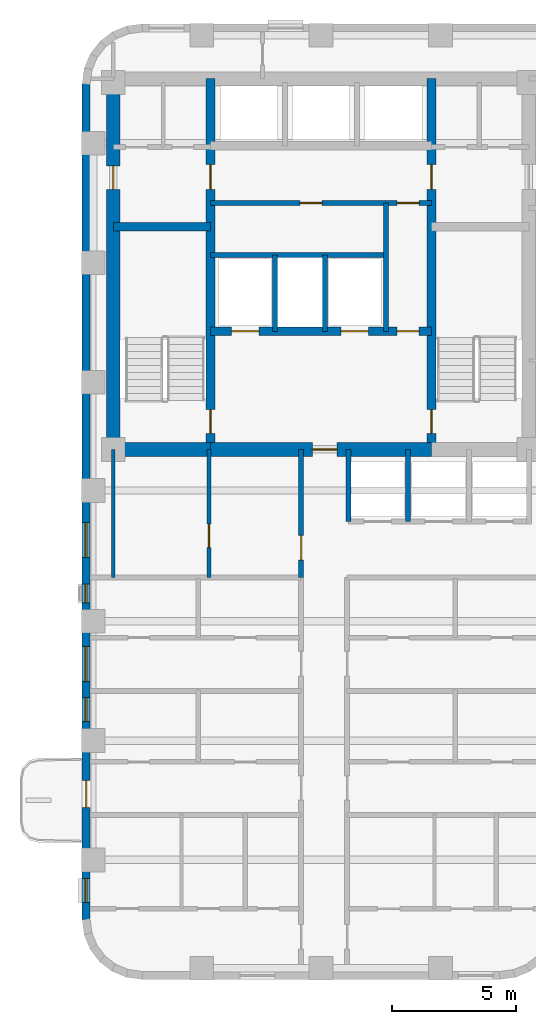
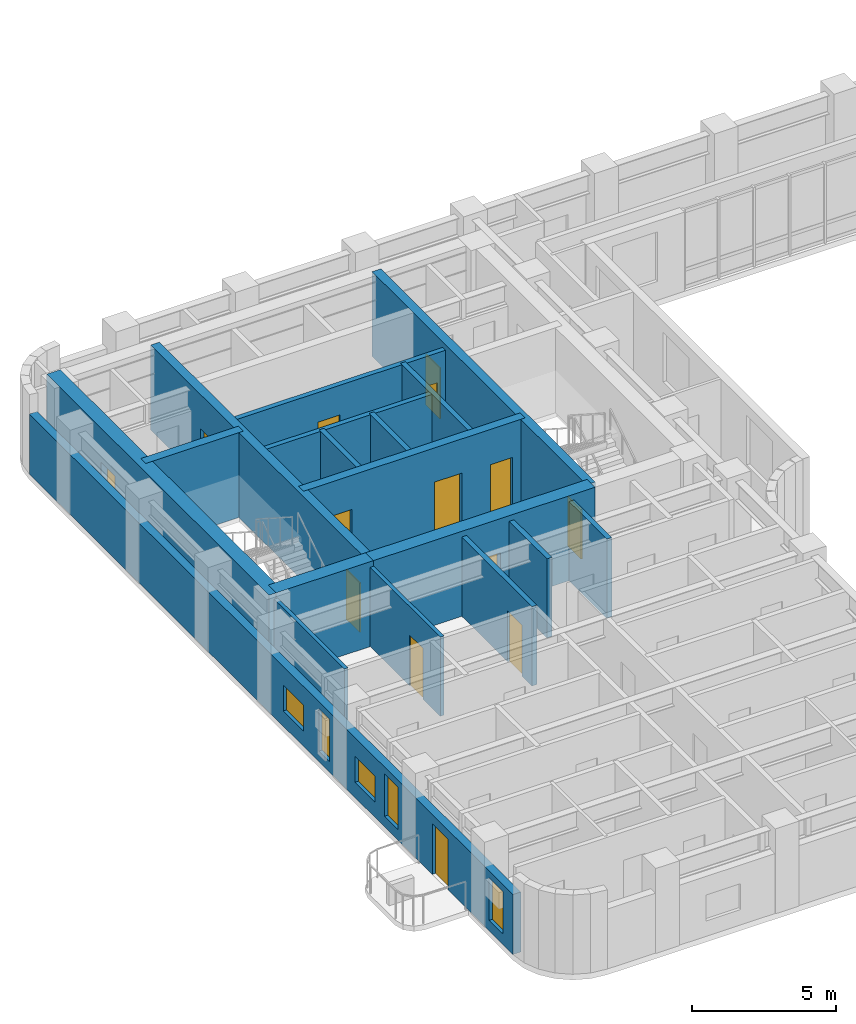
# One storey, part 5 of 11: 18 walls, 14 doors, 5 windows, 19 openings.
"""IFC4 building model written with IfcOpenShell, lengths in metres."""

import ifcopenshell
import ifcopenshell.guid

model = None  # the IFC model being written
_history = None  # IfcOwnerHistory: only IFC2X3 demands one
_inside = {}  # id of a spatial element -> (the spatial element, [elements in it])
_under = {}  # id of a project, library or spatial element -> (it, [spatial elements below it])
_declared = {}  # id of a project -> (the project, [libraries it declares])
_typed = {}  # id of a type object -> (the type object, [elements of that type])
_made_of = {}  # id of a material, layer set ... -> (it, [elements and type objects made of it])


def new_model(schema):
    """Start an empty IFC model of exactly this schema.

    Asked for "IFC4X3", IfcOpenShell would pick the latest addendum, in which some entities
    have other attributes; the version numbers below select the first issue.
    IFC2X3 requires an IfcOwnerHistory on every rooted entity: one is made here for all.
    """
    global model, _history
    if schema == "IFC4X3":
        model = ifcopenshell.file(schema_version=(4, 3, 0, 0))
    else:
        model = ifcopenshell.file(schema=schema)
    _inside.clear()
    _under.clear()
    _declared.clear()
    _typed.clear()
    _made_of.clear()
    _history = None
    if model.schema == "IFC2X3":
        org = make("IfcOrganization", Name="unknown")
        user = make(
            "IfcPersonAndOrganization",
            ThePerson=make("IfcPerson", FamilyName="unknown"),
            TheOrganization=org,
        )
        app = make(
            "IfcApplication",
            ApplicationDeveloper=org,
            Version="unknown",
            ApplicationFullName="unknown",
            ApplicationIdentifier="unknown",
        )
        _history = make(
            "IfcOwnerHistory",
            OwningUser=user,
            OwningApplication=app,
            ChangeAction="ADDED",
            CreationDate=0,
        )
    return model


def make(cls, **values):
    """One entity of the class cls with the attributes given. An attribute that is None is left unset."""
    return model.create_entity(
        cls, **{name: value for name, value in values.items() if value is not None}
    )


def rooted(cls, **values):
    """An entity with a GlobalId (a new one), such as an element, a storey or a relation."""
    return make(cls, GlobalId=ifcopenshell.guid.new(), OwnerHistory=_history, **values)


def si_unit(unit_type, name, prefix=None):
    """IfcSIUnit, for example si_unit("LENGTHUNIT", "METRE", prefix="MILLI")."""
    return make("IfcSIUnit", UnitType=unit_type, Prefix=prefix, Name=name)


def assignment(units):
    """IfcUnitAssignment: the units of a project."""
    return None if units is None else make("IfcUnitAssignment", Units=units)


def point(xyz):
    """IfcCartesianPoint."""
    return None if xyz is None else make("IfcCartesianPoint", Coordinates=xyz)


def direction(xyz):
    """IfcDirection."""
    return None if xyz is None else make("IfcDirection", DirectionRatios=xyz)


def frame(location, z_axis=None, x_axis=None):
    """IfcAxis2Placement3D, a coordinate frame: its origin and axes. An axis left out is left unset."""
    return make(
        "IfcAxis2Placement3D",
        Location=point(location),
        Axis=direction(z_axis),
        RefDirection=direction(x_axis),
    )


def frame_2d(location, x_axis=None):
    """IfcAxis2Placement2D, a coordinate frame in the plane: its origin and x axis."""
    return make(
        "IfcAxis2Placement2D", Location=point(location), RefDirection=direction(x_axis)
    )


def origin():
    """The frame at (0, 0, 0) with its axes left unset."""
    return frame((0.0, 0.0, 0.0))


def place(relative_to, where):
    """IfcLocalPlacement: puts the frame where relative to a parent placement (None: the world)."""
    return make(
        "IfcLocalPlacement", PlacementRelTo=relative_to, RelativePlacement=where
    )


def context(
    kind, dimensions, precision=None, world=None, true_north=None, identifier=None
):
    """IfcGeometricRepresentationContext, for example the 3D "Model" context."""
    return make(
        "IfcGeometricRepresentationContext",
        ContextIdentifier=identifier,
        ContextType=kind,
        CoordinateSpaceDimension=dimensions,
        Precision=precision,
        WorldCoordinateSystem=world,
        TrueNorth=true_north,
    )


def subcontext(parent, identifier, kind, view, scale=None):
    """IfcGeometricRepresentationSubContext, for example "Body" below "Model"."""
    return make(
        "IfcGeometricRepresentationSubContext",
        ContextIdentifier=identifier,
        ContextType=kind,
        ParentContext=parent,
        TargetScale=scale,
        TargetView=view,
    )


def project(units=None, contexts=None):
    """IfcProject with its units and contexts."""
    return rooted(
        "IfcProject",
        Name="project",
        RepresentationContexts=contexts,
        UnitsInContext=assignment(units),
    )


def spatial(cls, under=None, at=None, **own):
    """A site, building, storey or space (cls), placed at a placement, below another one or the project."""
    s = rooted(cls, ObjectPlacement=at, **own)
    if under is not None:
        _under.setdefault(under.id(), (under, []))[1].append(s)
    return s


def profile(cls, at=None, kind="AREA", **sizes):
    """A parametric profile (cls). Its sizes go by their IFC names, for example OverallWidth=200.0."""
    return make(cls, ProfileType=kind, Position=at, **sizes)


def rectangle(**sizes):
    """IfcRectangleProfileDef."""
    return profile("IfcRectangleProfileDef", **sizes)


def extrude(swept, where, along, depth):
    """IfcExtrudedAreaSolid: the profile swept, set in the frame where, extruded along a direction by depth."""
    return make(
        "IfcExtrudedAreaSolid",
        SweptArea=swept,
        Position=where,
        ExtrudedDirection=direction(along),
        Depth=depth,
    )


def shape(context_of_items, identifier, shape_type, items):
    """IfcShapeRepresentation: the items that make up one representation, for example the "Body"."""
    return make(
        "IfcShapeRepresentation",
        ContextOfItems=context_of_items,
        RepresentationIdentifier=identifier,
        RepresentationType=shape_type,
        Items=items,
    )


def material(Name=None, Category=None):
    """IfcMaterial."""
    return make("IfcMaterial", Name=Name, Category=Category)


def layer(
    of_material, thickness, ventilated=None, Name=None, Category=None, Priority=None
):
    """IfcMaterialLayer: one layer of a wall or slab, of a material (None: an air gap)."""
    return make(
        "IfcMaterialLayer",
        Material=of_material,
        LayerThickness=thickness,
        IsVentilated=ventilated,
        Name=Name,
        Category=Category,
        Priority=Priority,
    )


def layer_set(layers, Name=None):
    """IfcMaterialLayerSet."""
    return make("IfcMaterialLayerSet", MaterialLayers=layers, LayerSetName=Name)


def made_of(thing, what):
    """Note that an element or type object is made of a material, layer set ...; save() writes the relation."""
    if what is not None:
        _made_of.setdefault(what.id(), (what, []))[1].append(thing)
    return thing


def type_object(cls, material=None, **own):
    """A type object (cls), such as IfcWallType, which elements share."""
    return made_of(rooted(cls, **own), material)


def element(
    cls,
    number,
    at=None,
    inside=None,
    cuts=None,
    type_object=None,
    material=None,
    context=None,
    identifier="Body",
    shape_type=None,
    held_by="IfcProductDefinitionShape",
    body=None,
    shapes=None,
    **own,
):
    """One element of the class cls, such as IfcWall. Its Tag is "e" and its number.

    at: its placement. inside: the storey or other place that contains it. cuts: it is an
    opening in that element (IfcRelVoidsElement). A single representation is given by context,
    identifier, shape_type and body (its items); several are given by shapes. held_by: the class
    of the entity that holds the representations. save() writes the other relations.
    """
    e = rooted(cls, Tag="e%d" % number, ObjectPlacement=at, **own)
    if body is not None:
        shapes = [shape(context, identifier, shape_type, body)]
    if shapes is not None:
        e.Representation = make(held_by, Representations=shapes)
    if inside is not None:
        _inside.setdefault(inside.id(), (inside, []))[1].append(e)
    if cuts is not None:
        rooted(
            "IfcRelVoidsElement", RelatingBuildingElement=cuts, RelatedOpeningElement=e
        )
    if type_object is not None:
        _typed.setdefault(type_object.id(), (type_object, []))[1].append(e)
    return made_of(e, material)


def fill(opening, filler):
    """IfcRelFillsElement: the door or window that sits in an opening."""
    return rooted(
        "IfcRelFillsElement",
        RelatingOpeningElement=opening,
        RelatedBuildingElement=filler,
    )


def aggregate(whole, parts):
    """IfcRelAggregates: a whole, such as a stair, and the parts it consists of."""
    return rooted("IfcRelAggregates", RelatingObject=whole, RelatedObjects=parts)


def save(model, path):
    """Write the relations noted so far, then the file.

    IfcRelAggregates (storeys below a building ...), IfcRelContainedInSpatialStructure (elements
    in a storey), IfcRelDefinesByType, IfcRelAssociatesMaterial and IfcRelDeclares: one each for
    every whole, place, type object, material and project.
    """
    for whole, parts in _under.values():
        aggregate(whole, parts)
    for where, things in _inside.values():
        rooted(
            "IfcRelContainedInSpatialStructure",
            RelatedElements=things,
            RelatingStructure=where,
        )
    for kind, things in _typed.values():
        rooted("IfcRelDefinesByType", RelatedObjects=things, RelatingType=kind)
    for what, things in _made_of.values():
        rooted("IfcRelAssociatesMaterial", RelatedObjects=things, RelatingMaterial=what)
    for by, libraries in _declared.values():
        rooted("IfcRelDeclares", RelatingContext=by, RelatedDefinitions=libraries)
    model.write(path)


model = new_model("IFC4")

# Units and contexts
model_context = context("Model", 3, precision=1e-05, world=origin(), true_north=direction((0.0, 1.0)))
body_context = subcontext(model_context, "Body", "Model", "MODEL_VIEW")
ifc_project = project(units=[si_unit("LENGTHUNIT", "METRE"), si_unit("AREAUNIT", "SQUARE_METRE"), si_unit("VOLUMEUNIT", "CUBIC_METRE"), si_unit("PLANEANGLEUNIT", "RADIAN"), si_unit("MASSUNIT", "GRAM", prefix="KILO")], contexts=[model_context])

# Site, building, storey
site_placement = place(None, origin())
site = spatial("IfcSite", under=ifc_project, at=site_placement, CompositionType="ELEMENT")
building_placement = place(site_placement, origin())
building = spatial("IfcBuilding", under=site, at=building_placement, Name="Orvandelia Arch Residences", CompositionType="ELEMENT")
storey_placement = place(building_placement, frame((0.0, 0.0, 168.39990234375)))
storey = spatial("IfcBuildingStorey", under=building, at=storey_placement, Name="L44", CompositionType="ELEMENT", Elevation=168.39990234375)

# Wall, openings, doors
ifc_material_1 = material(Name="Concrete C50/60", Category="concrete")
ifc_layer_1 = layer(ifc_material_1, 0.35009765625, Name="Concrete C50/60", Category="concrete")
ifc_layer_set_1 = layer_set([ifc_layer_1], Name="Concrete C50/60")
wall_type_1 = type_object("IfcWallType", Name="WL-CORE-350", PredefinedType="SHEAR", material=ifc_layer_set_1)
wall_1_placement = place(storey_placement, frame((9.9599609375, 30.89990234375, 0.0), z_axis=(0.0, 0.0, 1.0), x_axis=(0.0, 1.0, 0.0)))
wall_1 = element("IfcWall", 1, at=wall_1_placement, inside=storey, type_object=wall_type_1, Name="Core Shear Wall L44-WEB1", PredefinedType="SHEAR", context=body_context, shape_type="SweptSolid", body=[
    extrude(rectangle(XDim=14.900146484375, YDim=0.35009765625, at=frame_2d((7.4501953125, 0.0))), origin(), (0.0, 0.0, 1.0), 3.60009765625),
])
opening_1_placement = place(wall_1_placement, frame((0.64990234375, 0.0, 0.0)))
opening_1 = element("IfcOpeningElement", 2, at=opening_1_placement, cuts=wall_1, Name="Opening D7", PredefinedType="OPENING", context=body_context, shape_type="SweptSolid", body=[
    extrude(rectangle(XDim=0.949951171875, YDim=2.10009765625, at=frame_2d((0.47509765625, 1.050048828125))), frame((0.0, 0.18505859375, 0.0), z_axis=(0.0, -1.0, 0.0), x_axis=(1.0, 0.0, 0.0)), (0.0, 0.0, 1.0), 0.3701171875),
])
opening_2_placement = place(wall_1_placement, frame((10.449951171875, 0.0, 0.0)))
opening_2 = element("IfcOpeningElement", 3, at=opening_2_placement, cuts=wall_1, Name="Opening D6", PredefinedType="OPENING", context=body_context, shape_type="SweptSolid", body=[
    extrude(rectangle(XDim=1.0, YDim=2.14990234375, at=frame_2d((0.5, 1.074951171875))), frame((0.0, 0.18505859375, 0.0), z_axis=(0.0, -1.0, 0.0), x_axis=(1.0, 0.0, 0.0)), (0.0, 0.0, 1.0), 0.3701171875),
])
ifc_material_2 = material(Name="Smokeproof Painted Steel Fire Door", Category="steel")
door_type_1 = type_object("IfcDoorType", Name="DR-FD60-1000", OperationType="NOTDEFINED", PredefinedType="DOOR", material=ifc_material_2)
door_1_placement = place(opening_2_placement, origin())
door_1 = element("IfcDoor", 4, at=door_1_placement, inside=storey, type_object=door_type_1, Name="High-Rise Lift Hall West Vestibule Door L44", OperationType="SINGLE_SWING_LEFT", OverallHeight=2.14990234375, OverallWidth=1.0, PredefinedType="DOOR", context=body_context, shape_type="SweptSolid", body=[
    extrude(rectangle(XDim=1.0, YDim=2.14990234375, at=frame_2d((0.5, 1.074951171875))), frame((0.0, 0.02490234375, 0.0), z_axis=(0.0, -1.0, 0.0), x_axis=(1.0, 0.0, 0.0)), (0.0, 0.0, 1.0), 0.050048828125),
])
fill(opening_2, door_1)
ifc_material_3 = material(Name="Pressurised Stairwell Fire Door")
door_type_2 = type_object("IfcDoorType", Name="DR-STAIR-950", OperationType="NOTDEFINED", PredefinedType="DOOR", material=ifc_material_3)
door_2_placement = place(opening_1_placement, origin())
door_2 = element("IfcDoor", 5, at=door_2_placement, inside=storey, type_object=door_type_2, Name="Stairwell ST-1 Fire Door L44", OperationType="SINGLE_SWING_LEFT", OverallHeight=2.10009765625, OverallWidth=0.949951171875, PredefinedType="DOOR", context=body_context, shape_type="SweptSolid", body=[
    extrude(rectangle(XDim=0.949951171875, YDim=2.10009765625, at=frame_2d((0.47509765625, 1.050048828125))), frame((0.0, 0.02490234375, 0.0), z_axis=(0.0, -1.0, 0.0), x_axis=(1.0, 0.0, 0.0)), (0.0, 0.0, 1.0), 0.050048828125),
])
fill(opening_1, door_2)

wall_2_placement = place(storey_placement, frame((18.840087890625, 30.89990234375, 0.0), z_axis=(0.0, 0.0, 1.0), x_axis=(0.0, 1.0, 0.0)))
wall_2 = element("IfcWall", 6, at=wall_2_placement, inside=storey, type_object=wall_type_1, Name="Core Shear Wall L44-WEB2", PredefinedType="SHEAR", context=body_context, shape_type="SweptSolid", body=[
    extrude(rectangle(XDim=14.900146484375, YDim=0.35009765625, at=frame_2d((7.4501953125, 0.0))), origin(), (0.0, 0.0, 1.0), 3.60009765625),
])
opening_3_placement = place(wall_2_placement, frame((0.64990234375, 0.0, 0.0)))
opening_3 = element("IfcOpeningElement", 7, at=opening_3_placement, cuts=wall_2, Name="Opening D7", PredefinedType="OPENING", context=body_context, shape_type="SweptSolid", body=[
    extrude(rectangle(XDim=0.949951171875, YDim=2.10009765625, at=frame_2d((0.47509765625, 1.050048828125))), frame((0.0, 0.18505859375, 0.0), z_axis=(0.0, -1.0, 0.0), x_axis=(1.0, 0.0, 0.0)), (0.0, 0.0, 1.0), 0.3701171875),
])
opening_4_placement = place(wall_2_placement, frame((10.449951171875, 0.0, 0.0)))
opening_4 = element("IfcOpeningElement", 8, at=opening_4_placement, cuts=wall_2, Name="Opening D6", PredefinedType="OPENING", context=body_context, shape_type="SweptSolid", body=[
    extrude(rectangle(XDim=1.0, YDim=2.14990234375, at=frame_2d((0.5, 1.074951171875))), frame((0.0, 0.18505859375, 0.0), z_axis=(0.0, -1.0, 0.0), x_axis=(1.0, 0.0, 0.0)), (0.0, 0.0, 1.0), 0.3701171875),
])
door_3_placement = place(opening_4_placement, origin())
door_3 = element("IfcDoor", 9, at=door_3_placement, inside=storey, type_object=door_type_1, Name="High-Rise Lift Hall East Vestibule Door L44", OperationType="SINGLE_SWING_RIGHT", OverallHeight=2.14990234375, OverallWidth=1.0, PredefinedType="DOOR", context=body_context, shape_type="SweptSolid", body=[
    extrude(rectangle(XDim=1.0, YDim=2.14990234375, at=frame_2d((0.5, 1.074951171875))), frame((0.0, 0.02490234375, 0.0), z_axis=(0.0, -1.0, 0.0), x_axis=(1.0, 0.0, 0.0)), (0.0, 0.0, 1.0), 0.050048828125),
])
fill(opening_4, door_3)
door_4_placement = place(opening_3_placement, origin())
door_4 = element("IfcDoor", 10, at=door_4_placement, inside=storey, type_object=door_type_2, Name="Stairwell ST-2 Fire Door L44", OperationType="SINGLE_SWING_RIGHT", OverallHeight=2.10009765625, OverallWidth=0.949951171875, PredefinedType="DOOR", context=body_context, shape_type="SweptSolid", body=[
    extrude(rectangle(XDim=0.949951171875, YDim=2.10009765625, at=frame_2d((0.47509765625, 1.050048828125))), frame((0.0, 0.02490234375, 0.0), z_axis=(0.0, -1.0, 0.0), x_axis=(1.0, 0.0, 0.0)), (0.0, 0.0, 1.0), 0.050048828125),
])
fill(opening_3, door_4)

# Wall
wall_3_placement = place(storey_placement, frame((6.050048828125, 39.85009765625, 0.0), z_axis=(0.0, 0.0, 1.0), x_axis=(1.0, 0.0, 0.0)))
element("IfcWall", 11, at=wall_3_placement, inside=storey, type_object=wall_type_1, Name="Core Shear Wall L44-HZ1", PredefinedType="SHEAR", context=body_context, shape_type="SweptSolid", body=[
    extrude(rectangle(XDim=3.909912109375, YDim=0.35009765625, at=frame_2d((1.955078125, 0.0))), origin(), (0.0, 0.0, 1.0), 3.60009765625),
])

# Wall, openings, doors
wall_4_placement = place(storey_placement, frame((9.9599609375, 35.64990234375, 0.0), z_axis=(0.0, 0.0, 1.0), x_axis=(1.0, 0.0, 0.0)))
wall_4 = element("IfcWall", 12, at=wall_4_placement, inside=storey, type_object=wall_type_1, Name="Core Shear Wall L44-HZ3", PredefinedType="SHEAR", context=body_context, shape_type="SweptSolid", body=[
    extrude(rectangle(XDim=8.880126953125, YDim=0.35009765625, at=frame_2d((4.43994140625, 0.0))), origin(), (0.0, 0.0, 1.0), 3.60009765625),
])
opening_5_placement = place(wall_4_placement, frame((0.840087890625, 0.0, 0.0)))
opening_5 = element("IfcOpeningElement", 13, at=opening_5_placement, cuts=wall_4, Name="Opening FLD", PredefinedType="OPENING", context=body_context, shape_type="SweptSolid", body=[
    extrude(rectangle(XDim=1.10009765625, YDim=2.14990234375, at=frame_2d((0.550048828125, 1.074951171875))), frame((0.0, 0.18505859375, 0.0), z_axis=(0.0, -1.0, 0.0), x_axis=(1.0, 0.0, 0.0)), (0.0, 0.0, 1.0), 0.3701171875),
])
opening_6_placement = place(wall_4_placement, frame((5.239990234375, 0.0, 0.0)))
opening_6 = element("IfcOpeningElement", 14, at=opening_6_placement, cuts=wall_4, Name="Opening FLD", PredefinedType="OPENING", context=body_context, shape_type="SweptSolid", body=[
    extrude(rectangle(XDim=1.10009765625, YDim=2.14990234375, at=frame_2d((0.550048828125, 1.074951171875))), frame((0.0, 0.18505859375, 0.0), z_axis=(0.0, -1.0, 0.0), x_axis=(1.0, 0.0, 0.0)), (0.0, 0.0, 1.0), 0.3701171875),
])
opening_7_placement = place(wall_4_placement, frame((7.5, 0.0, 0.0)))
opening_7 = element("IfcOpeningElement", 15, at=opening_7_placement, cuts=wall_4, Name="Opening D5", PredefinedType="OPENING", context=body_context, shape_type="SweptSolid", body=[
    extrude(rectangle(XDim=0.8798828125, YDim=2.10009765625, at=frame_2d((0.43994140625, 1.050048828125))), frame((0.0, 0.18505859375, 0.0), z_axis=(0.0, -1.0, 0.0), x_axis=(1.0, 0.0, 0.0)), (0.0, 0.0, 1.0), 0.3701171875),
])
ifc_material_4 = material(Name="Firefighting Lift Stainless Sliding Door")
door_type_3 = type_object("IfcDoorType", Name="DR-FLFT-1100", OperationType="NOTDEFINED", PredefinedType="DOOR", material=ifc_material_4)
door_5_placement = place(opening_5_placement, origin())
door_5 = element("IfcDoor", 16, at=door_5_placement, inside=storey, type_object=door_type_3, Name="Firefighting Lift Landing Door FLD-FL1-L44", OperationType="SLIDING_TO_LEFT", OverallHeight=2.14990234375, OverallWidth=1.10009765625, PredefinedType="DOOR", context=body_context, shape_type="SweptSolid", body=[
    extrude(rectangle(XDim=1.10009765625, YDim=2.14990234375, at=frame_2d((0.550048828125, 1.074951171875))), frame((0.0, 0.02490234375, 0.0), z_axis=(0.0, -1.0, 0.0), x_axis=(1.0, 0.0, 0.0)), (0.0, 0.0, 1.0), 0.050048828125),
])
fill(opening_5, door_5)
door_6_placement = place(opening_6_placement, origin())
door_6 = element("IfcDoor", 17, at=door_6_placement, inside=storey, type_object=door_type_3, Name="Firefighting Lift Landing Door FLD-FL2-L44", OperationType="SLIDING_TO_RIGHT", OverallHeight=2.14990234375, OverallWidth=1.10009765625, PredefinedType="DOOR", context=body_context, shape_type="SweptSolid", body=[
    extrude(rectangle(XDim=1.10009765625, YDim=2.14990234375, at=frame_2d((0.550048828125, 1.074951171875))), frame((0.0, 0.02490234375, 0.0), z_axis=(0.0, -1.0, 0.0), x_axis=(1.0, 0.0, 0.0)), (0.0, 0.0, 1.0), 0.050048828125),
])
fill(opening_6, door_6)
ifc_material_5 = material(Name="Painted Galvanised Steel Service Door", Category="steel")
door_type_4 = type_object("IfcDoorType", Name="DR-SRV-880", OperationType="NOTDEFINED", PredefinedType="DOOR", material=ifc_material_5)
door_7_placement = place(opening_7_placement, origin())
door_7 = element("IfcDoor", 18, at=door_7_placement, inside=storey, type_object=door_type_4, Name="Core Stairway Passage South Fire Door L44", OperationType="SINGLE_SWING_LEFT", OverallHeight=2.10009765625, OverallWidth=0.8798828125, PredefinedType="DOOR", context=body_context, shape_type="SweptSolid", body=[
    extrude(rectangle(XDim=0.8798828125, YDim=2.10009765625, at=frame_2d((0.43994140625, 1.050048828125))), frame((0.0, 0.02490234375, 0.0), z_axis=(0.0, -1.0, 0.0), x_axis=(1.0, 0.0, 0.0)), (0.0, 0.0, 1.0), 0.050048828125),
])
fill(opening_7, door_7)

# Wall, opening, door
ifc_material_6 = material(Name="Concrete C60/75", Category="concrete")
ifc_layer_2 = layer(ifc_material_6, 0.550048828125, Name="Concrete C60/75", Category="concrete")
ifc_layer_set_2 = layer_set([ifc_layer_2], Name="Concrete C60/75")
wall_type_2 = type_object("IfcWallType", Name="WL-CORE-550", PredefinedType="SHEAR", material=ifc_layer_set_2)
wall_5_placement = place(storey_placement, frame((6.050048828125, 30.625, 0.0), z_axis=(0.0, 0.0, 1.0), x_axis=(0.0, 1.0, 0.0)))
wall_5 = element("IfcWall", 19, at=wall_5_placement, inside=storey, type_object=wall_type_2, Name="Core Shear Wall L44-W", PredefinedType="SHEAR", context=body_context, shape_type="SweptSolid", body=[
    extrude(rectangle(XDim=15.449951171875, YDim=0.550048828125, at=frame_2d((7.72509765625, 0.0))), origin(), (0.0, 0.0, 1.0), 3.60009765625),
])
opening_8_placement = place(wall_5_placement, frame((10.72509765625, 0.0, 0.0)))
opening_8 = element("IfcOpeningElement", 20, at=opening_8_placement, cuts=wall_5, Name="Opening D2", PredefinedType="OPENING", context=body_context, shape_type="SweptSolid", body=[
    extrude(rectangle(XDim=0.949951171875, YDim=2.14990234375, at=frame_2d((0.47509765625, 1.074951171875))), frame((0.0, 0.28515625, 0.0), z_axis=(0.0, -1.0, 0.0), x_axis=(1.0, 0.0, 0.0)), (0.0, 0.0, 1.0), 0.570068359375),
])
ifc_material_7 = material(Name="Solid-Core Timber Interior Fire Door", Category="wood")
door_type_5 = type_object("IfcDoorType", Name="DR-APT-950", OperationType="NOTDEFINED", PredefinedType="DOOR", material=ifc_material_7)
door_8_placement = place(opening_8_placement, origin())
door_8 = element("IfcDoor", 21, at=door_8_placement, inside=storey, type_object=door_type_5, Name="West Viewing Study Door L44", OperationType="SINGLE_SWING_RIGHT", OverallHeight=2.14990234375, OverallWidth=0.949951171875, PredefinedType="DOOR", context=body_context, shape_type="SweptSolid", body=[
    extrude(rectangle(XDim=0.949951171875, YDim=2.14990234375, at=frame_2d((0.47509765625, 1.074951171875))), frame((0.0, 0.02490234375, 0.0), z_axis=(0.0, -1.0, 0.0), x_axis=(1.0, 0.0, 0.0)), (0.0, 0.0, 1.0), 0.050048828125),
])
fill(opening_8, door_8)

# Wall
wall_6_placement = place(storey_placement, frame((6.050048828125, 30.89990234375, 0.0), z_axis=(0.0, 0.0, 1.0), x_axis=(1.0, 0.0, 0.0)))
element("IfcWall", 22, at=wall_6_placement, inside=storey, type_object=wall_type_2, Name="Core Shear Wall L44-SW", PredefinedType="SHEAR", context=body_context, shape_type="SweptSolid", body=[
    extrude(rectangle(XDim=3.909912109375, YDim=0.550048828125, at=frame_2d((1.955078125, 0.0))), origin(), (0.0, 0.0, 1.0), 3.60009765625),
])

# Wall, opening, door
wall_7_placement = place(storey_placement, frame((9.9599609375, 30.89990234375, 0.0), z_axis=(0.0, 0.0, 1.0), x_axis=(1.0, 0.0, 0.0)))
wall_7 = element("IfcWall", 23, at=wall_7_placement, inside=storey, type_object=wall_type_2, Name="Core Shear Wall L44-SM", PredefinedType="SHEAR", context=body_context, shape_type="SweptSolid", body=[
    extrude(rectangle(XDim=8.880126953125, YDim=0.550048828125, at=frame_2d((4.43994140625, 0.0))), origin(), (0.0, 0.0, 1.0), 3.60009765625),
])
opening_9_placement = place(wall_7_placement, frame((4.090087890625, 0.0, 0.0)))
opening_9 = element("IfcOpeningElement", 24, at=opening_9_placement, cuts=wall_7, Name="Opening D6", PredefinedType="OPENING", context=body_context, shape_type="SweptSolid", body=[
    extrude(rectangle(XDim=1.0, YDim=2.14990234375, at=frame_2d((0.5, 1.074951171875))), frame((0.0, 0.28515625, 0.0), z_axis=(0.0, -1.0, 0.0), x_axis=(1.0, 0.0, 0.0)), (0.0, 0.0, 1.0), 0.570068359375),
])
door_9_placement = place(opening_9_placement, origin())
door_9 = element("IfcDoor", 25, at=door_9_placement, inside=storey, type_object=door_type_1, Name="Firefighting Lobby Smokeproof Door L44", OperationType="SINGLE_SWING_LEFT", OverallHeight=2.14990234375, OverallWidth=1.0, PredefinedType="DOOR", context=body_context, shape_type="SweptSolid", body=[
    extrude(rectangle(XDim=1.0, YDim=2.14990234375, at=frame_2d((0.5, 1.074951171875))), frame((0.0, 0.02490234375, 0.0), z_axis=(0.0, -1.0, 0.0), x_axis=(1.0, 0.0, 0.0)), (0.0, 0.0, 1.0), 0.050048828125),
])
fill(opening_9, door_9)

# Wall, openings, door, windows
ifc_material_8 = material(Name="Precast concrete C40/50", Category="concrete")
ifc_layer_3 = layer(ifc_material_8, 0.320068359375, Name="Precast concrete C40/50", Category="concrete")
ifc_layer_set_3 = layer_set([ifc_layer_3], Name="Precast concrete C40/50")
wall_type_3 = type_object("IfcWallType", Name="WL-EXT-STONE-320", PredefinedType="STANDARD", material=ifc_layer_set_3)
wall_8_placement = place(storey_placement, frame((4.9599609375, 12.0, 0.0), z_axis=(0.0, 0.0, 1.0), x_axis=(0.0, 1.0, 0.0)))
wall_8 = element("IfcWall", 26, at=wall_8_placement, inside=storey, type_object=wall_type_3, Name="Coral-Limestone Precast Facade Wall L44-046", PredefinedType="STANDARD", context=body_context, shape_type="SweptSolid", body=[
    extrude(rectangle(XDim=33.60009765625, YDim=0.320068359375, at=frame_2d((16.800048828125, 0.0))), origin(), (0.0, 0.0, 1.0), 2.5400390625),
])
opening_10_placement = place(wall_8_placement, frame((4.5, 0.0, 0.0)))
opening_10 = element("IfcOpeningElement", 27, at=opening_10_placement, cuts=wall_8, Name="Opening BD1", PredefinedType="OPENING", context=body_context, shape_type="SweptSolid", body=[
    extrude(rectangle(XDim=1.10009765625, YDim=2.14990234375, at=frame_2d((0.550048828125, 1.074951171875))), frame((0.0, 0.169921875, 0.0), z_axis=(0.0, -1.0, 0.0), x_axis=(1.0, 0.0, 0.0)), (0.0, 0.0, 1.0), 0.340087890625),
])
opening_11_placement = place(wall_8_placement, frame((0.699462890625, 0.0, 0.449951171875)))
opening_11 = element("IfcOpeningElement", 28, at=opening_11_placement, cuts=wall_8, Name="Opening W4", PredefinedType="OPENING", context=body_context, shape_type="SweptSolid", body=[
    extrude(rectangle(XDim=0.949951171875, YDim=1.800048828125, at=frame_2d((0.47509765625, 0.89990234375))), frame((0.0, 0.169921875, 0.0), z_axis=(0.0, -1.0, 0.0), x_axis=(1.0, 0.0, 0.0)), (0.0, 0.0, 1.0), 0.340087890625),
])
opening_12_placement = place(wall_8_placement, frame((9.570068359375, 0.0, 0.64990234375)))
opening_12 = element("IfcOpeningElement", 29, at=opening_12_placement, cuts=wall_8, Name="Opening W10", PredefinedType="OPENING", context=body_context, shape_type="SweptSolid", body=[
    extrude(rectangle(XDim=1.39990234375, YDim=1.10009765625, at=frame_2d((0.699951171875, 0.550048828125))), frame((0.0, 0.169921875, 0.0), z_axis=(0.0, -1.0, 0.0), x_axis=(1.0, 0.0, 0.0)), (0.0, 0.0, 1.0), 0.340087890625),
])
opening_13_placement = place(wall_8_placement, frame((7.972412109375, 0.0, 0.449951171875)))
opening_13 = element("IfcOpeningElement", 30, at=opening_13_placement, cuts=wall_8, Name="Opening W4", PredefinedType="OPENING", context=body_context, shape_type="SweptSolid", body=[
    extrude(rectangle(XDim=0.949951171875, YDim=1.800048828125, at=frame_2d((0.47509765625, 0.89990234375))), frame((0.0, 0.169921875, 0.0), z_axis=(0.0, -1.0, 0.0), x_axis=(1.0, 0.0, 0.0)), (0.0, 0.0, 1.0), 0.340087890625),
])
opening_14_placement = place(wall_8_placement, frame((12.732421875, 0.0, 0.449951171875)))
opening_14 = element("IfcOpeningElement", 31, at=opening_14_placement, cuts=wall_8, Name="Opening W11", PredefinedType="OPENING", context=body_context, shape_type="SweptSolid", body=[
    extrude(rectangle(XDim=0.75, YDim=1.800048828125, at=frame_2d((0.375, 0.89990234375))), frame((0.0, 0.169921875, 0.0), z_axis=(0.0, -1.0, 0.0), x_axis=(1.0, 0.0, 0.0)), (0.0, 0.0, 1.0), 0.340087890625),
])
opening_15_placement = place(wall_8_placement, frame((14.5576171875, 0.0, 0.64990234375)))
opening_15 = element("IfcOpeningElement", 32, at=opening_15_placement, cuts=wall_8, Name="Opening W10", PredefinedType="OPENING", context=body_context, shape_type="SweptSolid", body=[
    extrude(rectangle(XDim=1.39990234375, YDim=1.10009765625, at=frame_2d((0.699951171875, 0.550048828125))), frame((0.0, 0.169921875, 0.0), z_axis=(0.0, -1.0, 0.0), x_axis=(1.0, 0.0, 0.0)), (0.0, 0.0, 1.0), 0.340087890625),
])
ifc_material_9 = material(Name="Thermally Broken Aluminium Glazed Door", Category="aluminium")
door_type_6 = type_object("IfcDoorType", Name="DR-BAL-GLAZ-1100", OperationType="NOTDEFINED", PredefinedType="DOOR", material=ifc_material_9)
door_10_placement = place(opening_10_placement, origin())
door_10 = element("IfcDoor", 33, at=door_10_placement, inside=storey, type_object=door_type_6, Name="Tree Balcony Glazed Door BAL-L44-W1", OperationType="SINGLE_SWING_RIGHT", OverallHeight=2.14990234375, OverallWidth=1.10009765625, PredefinedType="DOOR", context=body_context, shape_type="SweptSolid", body=[
    extrude(rectangle(XDim=1.10009765625, YDim=2.14990234375, at=frame_2d((0.550048828125, 1.074951171875))), frame((0.0, 0.02490234375, 0.0), z_axis=(0.0, -1.0, 0.0), x_axis=(1.0, 0.0, 0.0)), (0.0, 0.0, 1.0), 0.050048828125),
])
fill(opening_10, door_10)
ifc_material_10 = material(Name="Tempered Low-E Insulated Glazing", Category="glass")
window_type_1 = type_object("IfcWindowType", Name="WIN-BED-0750x1800", PartitioningType="SINGLE_PANEL", PredefinedType="WINDOW", material=ifc_material_10)
window_1_placement = place(opening_14_placement, origin())
window_1 = element("IfcWindow", 34, at=window_1_placement, inside=storey, type_object=window_type_1, Name="Recessed Punched Window L44-027", OverallHeight=1.800048828125, OverallWidth=0.75, PartitioningType="SINGLE_PANEL", PredefinedType="WINDOW", context=body_context, shape_type="SweptSolid", body=[
    extrude(rectangle(XDim=0.75, YDim=1.800048828125, at=frame_2d((0.375, 0.89990234375))), frame((0.0, 0.030029296875, 0.0), z_axis=(0.0, -1.0, 0.0), x_axis=(1.0, 0.0, 0.0)), (0.0, 0.0, 1.0), 0.06005859375),
])
fill(opening_14, window_1)
window_type_2 = type_object("IfcWindowType", Name="WIN-CLR-1400x1100", PartitioningType="SINGLE_PANEL", PredefinedType="WINDOW", material=ifc_material_10)
window_2_placement = place(opening_12_placement, origin())
window_2 = element("IfcWindow", 35, at=window_2_placement, inside=storey, type_object=window_type_2, Name="Recessed Punched Window L44-025", OverallHeight=1.10009765625, OverallWidth=1.39990234375, PartitioningType="SINGLE_PANEL", PredefinedType="WINDOW", context=body_context, shape_type="SweptSolid", body=[
    extrude(rectangle(XDim=1.39990234375, YDim=1.10009765625, at=frame_2d((0.699951171875, 0.550048828125))), frame((0.0, 0.030029296875, 0.0), z_axis=(0.0, -1.0, 0.0), x_axis=(1.0, 0.0, 0.0)), (0.0, 0.0, 1.0), 0.06005859375),
])
fill(opening_12, window_2)
window_3_placement = place(opening_15_placement, origin())
window_3 = element("IfcWindow", 36, at=window_3_placement, inside=storey, type_object=window_type_2, Name="Recessed Punched Window L44-028", OverallHeight=1.10009765625, OverallWidth=1.39990234375, PartitioningType="SINGLE_PANEL", PredefinedType="WINDOW", context=body_context, shape_type="SweptSolid", body=[
    extrude(rectangle(XDim=1.39990234375, YDim=1.10009765625, at=frame_2d((0.699951171875, 0.550048828125))), frame((0.0, 0.030029296875, 0.0), z_axis=(0.0, -1.0, 0.0), x_axis=(1.0, 0.0, 0.0)), (0.0, 0.0, 1.0), 0.06005859375),
])
fill(opening_15, window_3)
window_type_3 = type_object("IfcWindowType", Name="WIN-RES-0950x1800", PartitioningType="SINGLE_PANEL", PredefinedType="WINDOW", material=ifc_material_10)
window_4_placement = place(opening_11_placement, origin())
window_4 = element("IfcWindow", 37, at=window_4_placement, inside=storey, type_object=window_type_3, Name="Recessed Punched Window L44-024", OverallHeight=1.800048828125, OverallWidth=0.949951171875, PartitioningType="SINGLE_PANEL", PredefinedType="WINDOW", context=body_context, shape_type="SweptSolid", body=[
    extrude(rectangle(XDim=0.949951171875, YDim=1.800048828125, at=frame_2d((0.47509765625, 0.89990234375))), frame((0.0, 0.030029296875, 0.0), z_axis=(0.0, -1.0, 0.0), x_axis=(1.0, 0.0, 0.0)), (0.0, 0.0, 1.0), 0.06005859375),
])
fill(opening_11, window_4)
window_5_placement = place(opening_13_placement, origin())
window_5 = element("IfcWindow", 38, at=window_5_placement, inside=storey, type_object=window_type_3, Name="Recessed Punched Window L44-026", OverallHeight=1.800048828125, OverallWidth=0.949951171875, PartitioningType="SINGLE_PANEL", PredefinedType="WINDOW", context=body_context, shape_type="SweptSolid", body=[
    extrude(rectangle(XDim=0.949951171875, YDim=1.800048828125, at=frame_2d((0.47509765625, 0.89990234375))), frame((0.0, 0.030029296875, 0.0), z_axis=(0.0, -1.0, 0.0), x_axis=(1.0, 0.0, 0.0)), (0.0, 0.0, 1.0), 0.06005859375),
])
fill(opening_13, window_5)

# Wall
ifc_material_11 = material(Name="Acoustic Gypsum Stud Partition")
ifc_layer_4 = layer(ifc_material_11, 0.14990234375, Name="Acoustic Gypsum Stud Partition")
ifc_layer_set_4 = layer_set([ifc_layer_4], Name="Acoustic Gypsum Stud Partition")
wall_type_4 = type_object("IfcWallType", Name="WL-PART-150", PredefinedType="PARTITIONING", material=ifc_layer_set_4)
wall_9_placement = place(storey_placement, frame((6.050048828125, 25.75, 0.0), z_axis=(0.0, 0.0, 1.0), x_axis=(0.0, 1.0, 0.0)))
element("IfcWall", 39, at=wall_9_placement, inside=storey, type_object=wall_type_4, Name="Interior Partition Wall WL-L44-B1REUSE-W", PredefinedType="PARTITIONING", context=body_context, shape_type="SweptSolid", body=[
    extrude(rectangle(XDim=5.14990234375, YDim=0.14990234375, at=frame_2d((2.574951171875, 0.0))), origin(), (0.0, 0.0, 1.0), 3.360107421875),
])

# Wall, opening, door
wall_10_placement = place(storey_placement, frame((9.89990234375, 25.75, 0.0), z_axis=(0.0, 0.0, 1.0), x_axis=(0.0, 1.0, 0.0)))
wall_10 = element("IfcWall", 40, at=wall_10_placement, inside=storey, type_object=wall_type_4, Name="Interior Partition Wall WL-L44-B1R-M", PredefinedType="PARTITIONING", context=body_context, shape_type="SweptSolid", body=[
    extrude(rectangle(XDim=5.14990234375, YDim=0.14990234375, at=frame_2d((2.574951171875, 0.0))), origin(), (0.0, 0.0, 1.0), 3.360107421875),
])
opening_16_placement = place(wall_10_placement, frame((1.199951171875, 0.0, 0.0)))
opening_16 = element("IfcOpeningElement", 41, at=opening_16_placement, cuts=wall_10, Name="Opening D2", PredefinedType="OPENING", context=body_context, shape_type="SweptSolid", body=[
    extrude(rectangle(XDim=0.949951171875, YDim=2.14990234375, at=frame_2d((0.47509765625, 1.074951171875))), frame((0.0, 0.0849609375, 0.0), z_axis=(0.0, -1.0, 0.0), x_axis=(1.0, 0.0, 0.0)), (0.0, 0.0, 1.0), 0.169921875),
])
door_11_placement = place(opening_16_placement, origin())
door_11 = element("IfcDoor", 42, at=door_11_placement, inside=storey, type_object=door_type_5, Name="DR-L44-B1RA", OperationType="SINGLE_SWING_RIGHT", OverallHeight=2.14990234375, OverallWidth=0.949951171875, PredefinedType="DOOR", context=body_context, shape_type="SweptSolid", body=[
    extrude(rectangle(XDim=0.949951171875, YDim=2.14990234375, at=frame_2d((0.47509765625, 1.074951171875))), frame((0.0, 0.02490234375, 0.0), z_axis=(0.0, -1.0, 0.0), x_axis=(1.0, 0.0, 0.0)), (0.0, 0.0, 1.0), 0.050048828125),
])
fill(opening_16, door_11)

# Walls
ifc_material_12 = material(Name="Fire-Rated Shaft Enclosure Wall")
ifc_layer_5 = layer(ifc_material_12, 0.199951171875, Name="Fire-Rated Shaft Enclosure Wall")
ifc_layer_set_5 = layer_set([ifc_layer_5], Name="Fire-Rated Shaft Enclosure Wall")
wall_type_5 = type_object("IfcWallType", Name="WL-SHAFT-200", PredefinedType="POLYGONAL", material=ifc_layer_set_5)
wall_11_placement = place(storey_placement, frame((9.9599609375, 38.719970703125, 0.0), z_axis=(0.0, 0.0, 1.0), x_axis=(1.0, 0.0, 0.0)))
element("IfcWall", 43, at=wall_11_placement, inside=storey, type_object=wall_type_5, Name="Interior Partition Wall WL-L44-FLN", PredefinedType="POLYGONAL", context=body_context, shape_type="SweptSolid", body=[
    extrude(rectangle(XDim=7.06005859375, YDim=0.199951171875, at=frame_2d((3.530029296875, 0.0))), origin(), (0.0, 0.0, 1.0), 3.360107421875),
])
for number, where, z_axis, x_axis, name in (
    (44, (12.550048828125, 35.64990234375, 0.0), (0.0, 0.0, 1.0), (0.0, 1.0, 0.0), "Interior Partition Wall WL-L44-FLM1"),
    (45, (14.550048828125, 35.64990234375, 0.0), (0.0, 0.0, 1.0), (0.0, 1.0, 0.0), "Interior Partition Wall WL-L44-FLM2"),
):
    element("IfcWall", number, at=place(storey_placement, frame(where, z_axis=z_axis, x_axis=x_axis)), inside=storey, type_object=wall_type_5, Name=name, PredefinedType="POLYGONAL", context=body_context, shape_type="SweptSolid", body=[
        extrude(rectangle(XDim=3.070068359375, YDim=0.199951171875, at=frame_2d((1.53515625, 0.0))), origin(), (0.0, 0.0, 1.0), 3.360107421875),
    ])
wall_12_placement = place(storey_placement, frame((17.02001953125, 35.64990234375, 0.0), z_axis=(0.0, 0.0, 1.0), x_axis=(0.0, 1.0, 0.0)))
element("IfcWall", 46, at=wall_12_placement, inside=storey, type_object=wall_type_5, Name="Interior Partition Wall WL-L44-FLM3", PredefinedType="POLYGONAL", context=body_context, shape_type="SweptSolid", body=[
    extrude(rectangle(XDim=5.150146484375, YDim=0.199951171875, at=frame_2d((2.5751953125, 0.0))), origin(), (0.0, 0.0, 1.0), 3.360107421875),
])

# Wall, openings, doors
wall_13_placement = place(storey_placement, frame((9.9599609375, 40.800048828125, 0.0), z_axis=(0.0, 0.0, 1.0), x_axis=(1.0, 0.0, 0.0)))
wall_13 = element("IfcWall", 47, at=wall_13_placement, inside=storey, type_object=wall_type_5, Name="Interior Partition Wall WL-L44-HLH-S", PredefinedType="POLYGONAL", context=body_context, shape_type="SweptSolid", body=[
    extrude(rectangle(XDim=8.880126953125, YDim=0.199951171875, at=frame_2d((4.43994140625, 0.0))), origin(), (0.0, 0.0, 1.0), 3.360107421875),
])
opening_17_placement = place(wall_13_placement, frame((7.5, 0.0, 0.0)))
opening_17 = element("IfcOpeningElement", 48, at=opening_17_placement, cuts=wall_13, Name="Opening D5", PredefinedType="OPENING", context=body_context, shape_type="SweptSolid", body=[
    extrude(rectangle(XDim=0.8798828125, YDim=2.10009765625, at=frame_2d((0.43994140625, 1.050048828125))), frame((0.0, 0.10986328125, 0.0), z_axis=(0.0, -1.0, 0.0), x_axis=(1.0, 0.0, 0.0)), (0.0, 0.0, 1.0), 0.219970703125),
])
opening_18_placement = place(wall_13_placement, frame((3.60009765625, 0.0, 0.0)))
opening_18 = element("IfcOpeningElement", 49, at=opening_18_placement, cuts=wall_13, Name="Opening D5", PredefinedType="OPENING", context=body_context, shape_type="SweptSolid", body=[
    extrude(rectangle(XDim=0.8798828125, YDim=2.10009765625, at=frame_2d((0.43994140625, 1.050048828125))), frame((0.0, 0.10986328125, 0.0), z_axis=(0.0, -1.0, 0.0), x_axis=(1.0, 0.0, 0.0)), (0.0, 0.0, 1.0), 0.219970703125),
])
door_12_placement = place(opening_17_placement, origin())
door_12 = element("IfcDoor", 50, at=door_12_placement, inside=storey, type_object=door_type_4, Name="Core Stairway Passage North Fire Door L44", OperationType="SINGLE_SWING_RIGHT", OverallHeight=2.10009765625, OverallWidth=0.8798828125, PredefinedType="DOOR", context=body_context, shape_type="SweptSolid", body=[
    extrude(rectangle(XDim=0.8798828125, YDim=2.10009765625, at=frame_2d((0.43994140625, 1.050048828125))), frame((0.0, 0.02490234375, 0.0), z_axis=(0.0, -1.0, 0.0), x_axis=(1.0, 0.0, 0.0)), (0.0, 0.0, 1.0), 0.050048828125),
])
fill(opening_17, door_12)
door_13_placement = place(opening_18_placement, origin())
door_13 = element("IfcDoor", 51, at=door_13_placement, inside=storey, type_object=door_type_4, Name="DR-L44-CSA1", OperationType="SINGLE_SWING_LEFT", OverallHeight=2.10009765625, OverallWidth=0.8798828125, PredefinedType="DOOR", context=body_context, shape_type="SweptSolid", body=[
    extrude(rectangle(XDim=0.8798828125, YDim=2.10009765625, at=frame_2d((0.43994140625, 1.050048828125))), frame((0.0, 0.02490234375, 0.0), z_axis=(0.0, -1.0, 0.0), x_axis=(1.0, 0.0, 0.0)), (0.0, 0.0, 1.0), 0.050048828125),
])
fill(opening_18, door_13)

# Wall, opening, door
wall_14_placement = place(storey_placement, frame((13.60009765625, 25.75, 0.0), z_axis=(0.0, 0.0, 1.0), x_axis=(0.0, 1.0, 0.0)))
wall_14 = element("IfcWall", 52, at=wall_14_placement, inside=storey, type_object=wall_type_5, Name="Interior Partition Wall WL-L44-B1REUSE-E", PredefinedType="POLYGONAL", context=body_context, shape_type="SweptSolid", body=[
    extrude(rectangle(XDim=5.14990234375, YDim=0.199951171875, at=frame_2d((2.574951171875, 0.0))), origin(), (0.0, 0.0, 1.0), 3.360107421875),
])
opening_19_placement = place(wall_14_placement, frame((0.699951171875, 0.0, 0.0)))
opening_19 = element("IfcOpeningElement", 53, at=opening_19_placement, cuts=wall_14, Name="Opening D6", PredefinedType="OPENING", context=body_context, shape_type="SweptSolid", body=[
    extrude(rectangle(XDim=1.0, YDim=2.14990234375, at=frame_2d((0.5, 1.074951171875))), frame((0.0, 0.10986328125, 0.0), z_axis=(0.0, -1.0, 0.0), x_axis=(1.0, 0.0, 0.0)), (0.0, 0.0, 1.0), 0.219970703125),
])
door_14_placement = place(opening_19_placement, origin())
door_14 = element("IfcDoor", 54, at=door_14_placement, inside=storey, type_object=door_type_1, Name="DR-L44-B1RB", OperationType="SINGLE_SWING_LEFT", OverallHeight=2.14990234375, OverallWidth=1.0, PredefinedType="DOOR", context=body_context, shape_type="SweptSolid", body=[
    extrude(rectangle(XDim=1.0, YDim=2.14990234375, at=frame_2d((0.5, 1.074951171875))), frame((0.0, 0.02490234375, 0.0), z_axis=(0.0, -1.0, 0.0), x_axis=(1.0, 0.0, 0.0)), (0.0, 0.0, 1.0), 0.050048828125),
])
fill(opening_19, door_14)

# Walls
for number, where, z_axis, x_axis, name in (
    (55, (15.5, 28.0, 0.0), (0.0, 0.0, 1.0), (0.0, 1.0, 0.0), "Interior Partition Wall WL-L44-BNKM-W"),
    (56, (17.89990234375, 28.0, 0.0), (0.0, 0.0, 1.0), (0.0, 1.0, 0.0), "Interior Partition Wall WL-L44-BNKMD-1789"),
):
    element("IfcWall", number, at=place(storey_placement, frame(where, z_axis=z_axis, x_axis=x_axis)), inside=storey, type_object=wall_type_5, Name=name, PredefinedType="POLYGONAL", context=body_context, shape_type="SweptSolid", body=[
        extrude(rectangle(XDim=2.89990234375, YDim=0.199951171875, at=frame_2d((1.449951171875, 0.0))), origin(), (0.0, 0.0, 1.0), 3.360107421875),
    ])

save(model, "model.ifc")
